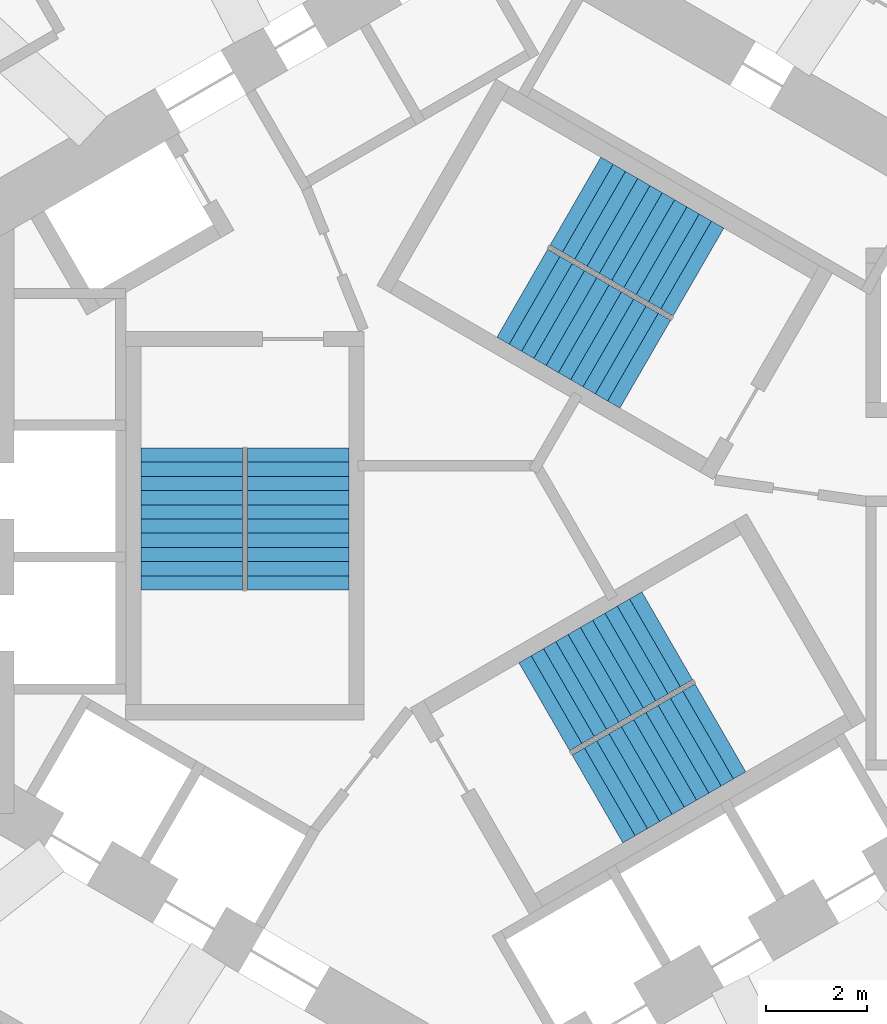
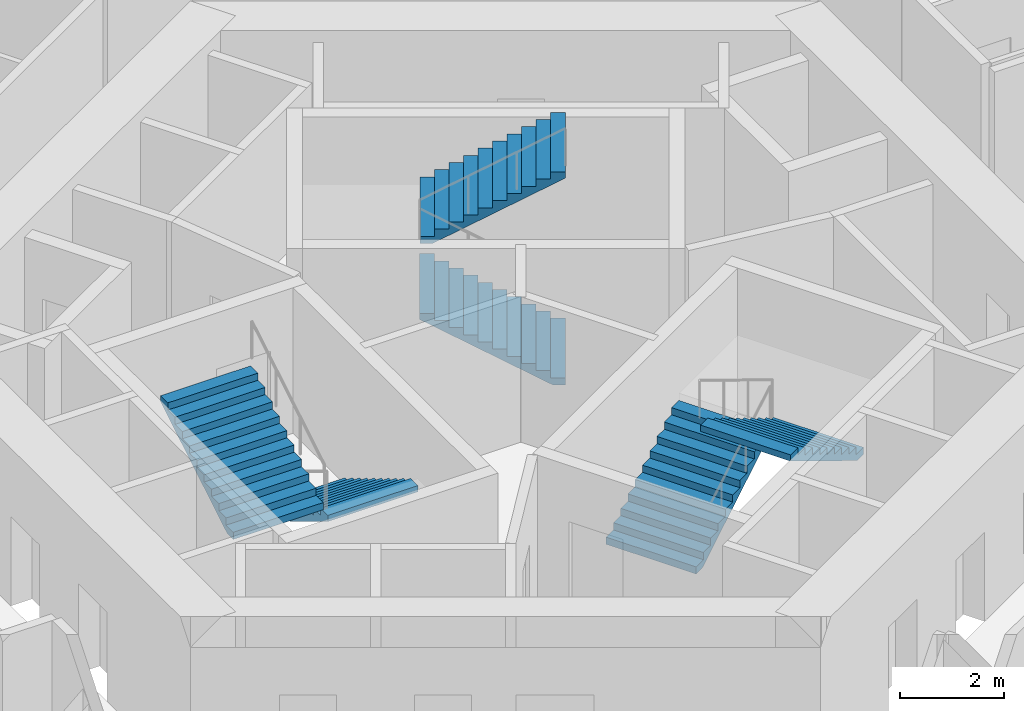
# One storey, part 9 of 11: 6 stair flights, 3 elements without a shape of their own.
"""IFC4 building model written with IfcOpenShell, lengths in metres."""

from ifc_helpers import new_model, si_unit, direction, frame, origin, place, context, subcontext, project, spatial, triangles, source, transform, mapped, material, type_object, element, aggregate, save


model = new_model("IFC4")

# Units and contexts
model_context = context("Model", 3, precision=1e-05, world=origin(), true_north=direction((0.0, 1.0)))
body_context = subcontext(model_context, "Body", "Model", "MODEL_VIEW")
ifc_project = project(units=[si_unit("LENGTHUNIT", "METRE"), si_unit("AREAUNIT", "SQUARE_METRE"), si_unit("VOLUMEUNIT", "CUBIC_METRE"), si_unit("PLANEANGLEUNIT", "RADIAN"), si_unit("MASSUNIT", "GRAM", prefix="KILO")], contexts=[model_context])

# Site, building, storey
site_placement = place(None, origin())
site = spatial("IfcSite", under=ifc_project, at=site_placement, CompositionType="ELEMENT")
building_placement = place(site_placement, origin())
building = spatial("IfcBuilding", under=site, at=building_placement, Name="Vanh Sen Convention Tower", CompositionType="ELEMENT")
storey_placement = place(building_placement, frame((0.0, 0.0, 179.89990234375)))
storey = spatial("IfcBuildingStorey", under=building, at=storey_placement, Name="L44", CompositionType="ELEMENT", Elevation=179.89990234375)

# Stair, stair flights
ifc_material_1 = material(Name="Concrete C50/60", Category="concrete")
stair_type_1 = type_object("IfcStairType", Name="Exit stair ST1 22 risers at 168.2", PredefinedType="HALF_TURN_STAIR", material=ifc_material_1)
stair_1_placement = place(storey_placement, origin())
stair_1 = element("IfcStair", 1, at=stair_1_placement, inside=storey, type_object=stair_type_1, Name="Exit stair ST1 L44", PredefinedType="HALF_TURN_STAIR")
ifc_material_2 = material(Name="Concrete C40/50", Category="concrete")
stair_flight_type = type_object("IfcStairFlightType", Name="Stair flight 2000", PredefinedType="STRAIGHT", material=ifc_material_2)
shared_shape = source(origin(), body_context, "Body", "Tessellation", [
    triangles([(0.24267578125, 1.0, 0.0), (0.0, 1.0, 0.0), (0.0, 1.0, 0.168212890625), (0.280029296875, 1.0, 0.168212890625), (0.280029296875, 1.0, 0.33642578125), (0.56005859375, 1.0, 0.33642578125), (0.56005859375, 1.0, 0.504638671875), (0.840087890625, 1.0, 0.504638671875), (0.840087890625, 1.0, 0.672607421875), (1.1201171875, 1.0, 0.672607421875), (1.1201171875, 1.0, 0.8408203125), (1.39990234375, 1.0, 0.8408203125), (1.39990234375, 1.0, 1.009033203125), (1.679931640625, 1.0, 1.009033203125), (1.679931640625, 1.0, 1.17724609375), (1.9599609375, 1.0, 1.17724609375), (1.9599609375, 1.0, 1.345458984375), (2.239990234375, 1.0, 1.345458984375), (2.239990234375, 1.0, 1.513671875), (2.52001953125, 1.0, 1.513671875), (2.52001953125, 1.0, 1.681884765625), (2.800048828125, 1.0, 1.681884765625), (2.800048828125, 1.0, 1.535888671875), (0.24267578125, -1.0, 0.0), (0.0, -1.0, 0.0), (0.0, -1.0, 0.168212890625), (0.280029296875, -1.0, 0.168212890625), (0.280029296875, -1.0, 0.33642578125), (0.56005859375, -1.0, 0.33642578125), (0.56005859375, -1.0, 0.504638671875), (0.840087890625, -1.0, 0.504638671875), (0.840087890625, -1.0, 0.672607421875), (1.1201171875, -1.0, 0.672607421875), (1.1201171875, -1.0, 0.8408203125), (1.39990234375, -1.0, 0.8408203125), (1.39990234375, -1.0, 1.009033203125), (1.679931640625, -1.0, 1.009033203125), (1.679931640625, -1.0, 1.17724609375), (1.9599609375, -1.0, 1.17724609375), (1.9599609375, -1.0, 1.345458984375), (2.239990234375, -1.0, 1.345458984375), (2.239990234375, -1.0, 1.513671875), (2.52001953125, -1.0, 1.513671875), (2.52001953125, -1.0, 1.681884765625), (2.800048828125, -1.0, 1.681884765625), (2.800048828125, -1.0, 1.535888671875), (0.0, 0.0400390625, 0.0), (0.0, 0.0390625, 0.0), (0.0, 0.0380859375, 0.0), (0.0, 0.037109375, 0.0), (0.0, 0.035888671875, 0.0), (0.0, 0.034912109375, 0.0), (0.0, 0.033935546875, 0.0), (0.0, 0.032958984375, 0.0), (0.0, 0.031982421875, 0.0), (0.0, 0.031005859375, 0.0), (0.0, 0.030029296875, 0.0), (0.0, 0.029052734375, 0.0), (0.0, 0.028076171875, 0.0), (0.0, 0.027099609375, 0.0), (0.0, 0.02587890625, 0.0), (0.0, 0.02490234375, 0.0), (0.0, 0.02392578125, 0.0), (0.0, 0.02294921875, 0.0), (0.0, 0.02197265625, 0.0), (0.0, 0.02099609375, 0.0), (0.0, 0.02001953125, 0.0), (0.0, 0.01904296875, 0.0), (0.0, 0.01806640625, 0.0), (0.0, 0.01708984375, 0.0), (0.0, 0.01611328125, 0.0), (0.0, 0.014892578125, 0.0), (0.0, 0.013916015625, 0.0), (0.0, 0.012939453125, 0.0), (0.0, 0.011962890625, 0.0), (0.0, 0.010986328125, 0.0), (0.0, 0.010009765625, 0.0), (0.0, 0.009033203125, 0.0), (0.0, 0.008056640625, 0.0), (0.0, 0.007080078125, 0.0), (0.0, 0.006103515625, 0.0), (0.0, 0.0048828125, 0.0), (0.0, 0.00390625, 0.0), (0.0, 0.0029296875, 0.0), (0.0, 0.001953125, 0.0), (0.0, 0.0009765625, 0.0), (0.0, 0.0, 0.0), (0.0, -0.0009765625, 0.0), (0.0, -0.001953125, 0.0), (0.0, -0.0029296875, 0.0), (0.0, -0.00390625, 0.0), (0.0, -0.0048828125, 0.0), (0.0, -0.006103515625, 0.0), (0.0, -0.007080078125, 0.0), (0.0, -0.008056640625, 0.0), (0.0, -0.009033203125, 0.0), (0.0, -0.010009765625, 0.0), (0.0, -0.010986328125, 0.0), (0.0, -0.011962890625, 0.0), (0.0, -0.012939453125, 0.0), (0.0, -0.013916015625, 0.0), (0.0, -0.014892578125, 0.0), (0.0, -0.01611328125, 0.0), (0.0, -0.01708984375, 0.0), (0.0, -0.01806640625, 0.0), (0.0, -0.01904296875, 0.0), (0.0, -0.02001953125, 0.0), (0.0, -0.02099609375, 0.0), (0.0, -0.02197265625, 0.0), (0.0, -0.02294921875, 0.0), (0.0, -0.02392578125, 0.0), (0.0, -0.02490234375, 0.0), (0.0, -0.02587890625, 0.0), (0.0, -0.027099609375, 0.0), (0.0, -0.028076171875, 0.0), (0.0, -0.029052734375, 0.0), (0.0, -0.030029296875, 0.0), (0.0, -0.031005859375, 0.0), (0.0, -0.031982421875, 0.0), (0.0, -0.032958984375, 0.0), (0.0, -0.033935546875, 0.0), (0.0, -0.034912109375, 0.0), (0.0, -0.035888671875, 0.0), (0.0, -0.037109375, 0.0), (0.0, -0.0380859375, 0.0), (0.0, -0.0390625, 0.0), (0.0, -0.0400390625, 0.0), (0.0, 0.0400390625, 0.168212890625), (0.0, 0.0390625, 0.168212890625), (0.0, 0.0380859375, 0.168212890625), (0.0, 0.037109375, 0.168212890625), (0.0, 0.035888671875, 0.168212890625), (0.0, 0.034912109375, 0.168212890625), (0.0, 0.033935546875, 0.168212890625), (0.0, 0.032958984375, 0.168212890625), (0.0, 0.031982421875, 0.168212890625), (0.0, 0.031005859375, 0.168212890625), (0.0, 0.030029296875, 0.168212890625), (0.0, 0.029052734375, 0.168212890625), (0.0, 0.028076171875, 0.168212890625), (0.0, 0.027099609375, 0.168212890625), (0.0, 0.02587890625, 0.168212890625), (0.0, 0.02490234375, 0.168212890625), (0.0, 0.02392578125, 0.168212890625), (0.0, 0.02294921875, 0.168212890625), (0.0, 0.02197265625, 0.168212890625), (0.0, 0.02099609375, 0.168212890625), (0.0, 0.02001953125, 0.168212890625), (0.0, 0.01904296875, 0.168212890625), (0.0, 0.01806640625, 0.168212890625), (0.0, 0.01708984375, 0.168212890625), (0.0, 0.01611328125, 0.168212890625), (0.0, 0.014892578125, 0.168212890625), (0.0, 0.013916015625, 0.168212890625), (0.0, 0.012939453125, 0.168212890625), (0.0, 0.011962890625, 0.168212890625), (0.0, 0.010986328125, 0.168212890625), (0.0, 0.010009765625, 0.168212890625), (0.0, 0.009033203125, 0.168212890625), (0.0, 0.008056640625, 0.168212890625), (0.0, 0.007080078125, 0.168212890625), (0.0, 0.006103515625, 0.168212890625), (0.0, 0.0048828125, 0.168212890625), (0.0, 0.00390625, 0.168212890625), (0.0, 0.0029296875, 0.168212890625), (0.0, 0.001953125, 0.168212890625), (0.0, 0.0009765625, 0.168212890625), (0.0, 0.0, 0.168212890625), (0.0, -0.0009765625, 0.168212890625), (0.0, -0.001953125, 0.168212890625), (0.0, -0.0029296875, 0.168212890625), (0.0, -0.00390625, 0.168212890625), (0.0, -0.0048828125, 0.168212890625), (0.0, -0.006103515625, 0.168212890625), (0.0, -0.007080078125, 0.168212890625), (0.0, -0.008056640625, 0.168212890625), (0.0, -0.009033203125, 0.168212890625), (0.0, -0.010009765625, 0.168212890625), (0.0, -0.010986328125, 0.168212890625), (0.0, -0.011962890625, 0.168212890625), (0.0, -0.012939453125, 0.168212890625), (0.0, -0.013916015625, 0.168212890625), (0.0, -0.014892578125, 0.168212890625), (0.0, -0.01611328125, 0.168212890625), (0.0, -0.01708984375, 0.168212890625), (0.0, -0.01806640625, 0.168212890625), (0.0, -0.01904296875, 0.168212890625), (0.0, -0.02001953125, 0.168212890625), (0.0, -0.02099609375, 0.168212890625), (0.0, -0.02197265625, 0.168212890625), (0.0, -0.02294921875, 0.168212890625), (0.0, -0.02392578125, 0.168212890625), (0.0, -0.02490234375, 0.168212890625), (0.0, -0.02587890625, 0.168212890625), (0.0, -0.027099609375, 0.168212890625), (0.0, -0.028076171875, 0.168212890625), (0.0, -0.029052734375, 0.168212890625), (0.0, -0.030029296875, 0.168212890625), (0.0, -0.031005859375, 0.168212890625), (0.0, -0.031982421875, 0.168212890625), (0.0, -0.032958984375, 0.168212890625), (0.0, -0.033935546875, 0.168212890625), (0.0, -0.034912109375, 0.168212890625), (0.0, -0.035888671875, 0.168212890625), (0.0, -0.037109375, 0.168212890625), (0.0, -0.0380859375, 0.168212890625), (0.0, -0.0390625, 0.168212890625), (0.0, -0.0400390625, 0.168212890625), (0.280029296875, 0.0, 0.168212890625), (0.280029296875, 0.0, 0.33642578125), (0.56005859375, 0.0, 0.33642578125), (0.56005859375, 0.0, 0.504638671875), (0.840087890625, 0.0, 0.504638671875), (0.840087890625, 0.0, 0.672607421875), (1.1201171875, 0.0, 0.672607421875), (1.1201171875, 0.0, 0.8408203125), (1.39990234375, 0.0, 0.8408203125), (1.39990234375, 0.0, 1.009033203125), (1.679931640625, 0.0, 1.009033203125), (1.679931640625, 0.0, 1.17724609375), (1.9599609375, 0.0, 1.17724609375), (1.9599609375, 0.0, 1.345458984375), (2.239990234375, 0.0, 1.345458984375), (2.239990234375, 0.0, 1.513671875), (2.52001953125, 0.0, 1.513671875), (2.52001953125, 0.0, 1.681884765625), (2.800048828125, 0.0400390625, 1.681884765625), (2.800048828125, 0.0390625, 1.681884765625), (2.800048828125, 0.0380859375, 1.681884765625), (2.800048828125, 0.037109375, 1.681884765625), (2.800048828125, 0.035888671875, 1.681884765625), (2.800048828125, 0.034912109375, 1.681884765625), (2.800048828125, 0.033935546875, 1.681884765625), (2.800048828125, 0.032958984375, 1.681884765625), (2.800048828125, 0.031982421875, 1.681884765625), (2.800048828125, 0.031005859375, 1.681884765625), (2.800048828125, 0.030029296875, 1.681884765625), (2.800048828125, 0.029052734375, 1.681884765625), (2.800048828125, 0.028076171875, 1.681884765625), (2.800048828125, 0.027099609375, 1.681884765625), (2.800048828125, 0.02587890625, 1.681884765625), (2.800048828125, 0.02490234375, 1.681884765625), (2.800048828125, 0.02392578125, 1.681884765625), (2.800048828125, 0.02294921875, 1.681884765625), (2.800048828125, 0.02197265625, 1.681884765625), (2.800048828125, 0.02099609375, 1.681884765625), (2.800048828125, 0.02001953125, 1.681884765625), (2.800048828125, 0.01904296875, 1.681884765625), (2.800048828125, 0.01806640625, 1.681884765625), (2.800048828125, 0.01708984375, 1.681884765625), (2.800048828125, 0.01611328125, 1.681884765625), (2.800048828125, 0.014892578125, 1.681884765625), (2.800048828125, 0.013916015625, 1.681884765625), (2.800048828125, 0.012939453125, 1.681884765625), (2.800048828125, 0.011962890625, 1.681884765625), (2.800048828125, 0.010986328125, 1.681884765625), (2.800048828125, 0.010009765625, 1.681884765625), (2.800048828125, 0.009033203125, 1.681884765625), (2.800048828125, 0.008056640625, 1.681884765625), (2.800048828125, 0.007080078125, 1.681884765625), (2.800048828125, 0.006103515625, 1.681884765625), (2.800048828125, 0.0048828125, 1.681884765625), (2.800048828125, 0.00390625, 1.681884765625), (2.800048828125, 0.0029296875, 1.681884765625), (2.800048828125, 0.001953125, 1.681884765625), (2.800048828125, 0.0009765625, 1.681884765625), (2.800048828125, 0.0, 1.681884765625), (2.800048828125, -0.0009765625, 1.681884765625), (2.800048828125, -0.001953125, 1.681884765625), (2.800048828125, -0.0029296875, 1.681884765625), (2.800048828125, -0.00390625, 1.681884765625), (2.800048828125, -0.0048828125, 1.681884765625), (2.800048828125, -0.006103515625, 1.681884765625), (2.800048828125, -0.007080078125, 1.681884765625), (2.800048828125, -0.008056640625, 1.681884765625), (2.800048828125, -0.009033203125, 1.681884765625), (2.800048828125, -0.010009765625, 1.681884765625), (2.800048828125, -0.010986328125, 1.681884765625), (2.800048828125, -0.011962890625, 1.681884765625), (2.800048828125, -0.012939453125, 1.681884765625), (2.800048828125, -0.013916015625, 1.681884765625), (2.800048828125, -0.014892578125, 1.681884765625), (2.800048828125, -0.01611328125, 1.681884765625), (2.800048828125, -0.01708984375, 1.681884765625), (2.800048828125, -0.01806640625, 1.681884765625), (2.800048828125, -0.01904296875, 1.681884765625), (2.800048828125, -0.02001953125, 1.681884765625), (2.800048828125, -0.02099609375, 1.681884765625), (2.800048828125, -0.02197265625, 1.681884765625), (2.800048828125, -0.02294921875, 1.681884765625), (2.800048828125, -0.02392578125, 1.681884765625), (2.800048828125, -0.02490234375, 1.681884765625), (2.800048828125, -0.02587890625, 1.681884765625), (2.800048828125, -0.027099609375, 1.681884765625), (2.800048828125, -0.028076171875, 1.681884765625), (2.800048828125, -0.029052734375, 1.681884765625), (2.800048828125, -0.030029296875, 1.681884765625), (2.800048828125, -0.031005859375, 1.681884765625), (2.800048828125, -0.031982421875, 1.681884765625), (2.800048828125, -0.032958984375, 1.681884765625), (2.800048828125, -0.033935546875, 1.681884765625), (2.800048828125, -0.034912109375, 1.681884765625), (2.800048828125, -0.035888671875, 1.681884765625), (2.800048828125, -0.037109375, 1.681884765625), (2.800048828125, -0.0380859375, 1.681884765625), (2.800048828125, -0.0390625, 1.681884765625), (2.800048828125, -0.0400390625, 1.681884765625), (2.800048828125, 0.0400390625, 1.535888671875), (2.800048828125, 0.0390625, 1.535888671875), (2.800048828125, 0.0380859375, 1.535888671875), (2.800048828125, 0.037109375, 1.535888671875), (2.800048828125, 0.035888671875, 1.535888671875), (2.800048828125, 0.034912109375, 1.535888671875), (2.800048828125, 0.033935546875, 1.535888671875), (2.800048828125, 0.032958984375, 1.535888671875), (2.800048828125, 0.031982421875, 1.535888671875), (2.800048828125, 0.031005859375, 1.535888671875), (2.800048828125, 0.030029296875, 1.535888671875), (2.800048828125, 0.029052734375, 1.535888671875), (2.800048828125, 0.028076171875, 1.535888671875), (2.800048828125, 0.027099609375, 1.535888671875), (2.800048828125, 0.02587890625, 1.535888671875), (2.800048828125, 0.02490234375, 1.535888671875), (2.800048828125, 0.02392578125, 1.535888671875), (2.800048828125, 0.02294921875, 1.535888671875), (2.800048828125, 0.02197265625, 1.535888671875), (2.800048828125, 0.02099609375, 1.535888671875), (2.800048828125, 0.02001953125, 1.535888671875), (2.800048828125, 0.01904296875, 1.535888671875), (2.800048828125, 0.01806640625, 1.535888671875), (2.800048828125, 0.01708984375, 1.535888671875), (2.800048828125, 0.01611328125, 1.535888671875), (2.800048828125, 0.014892578125, 1.535888671875), (2.800048828125, 0.013916015625, 1.535888671875), (2.800048828125, 0.012939453125, 1.535888671875), (2.800048828125, 0.011962890625, 1.535888671875), (2.800048828125, 0.010986328125, 1.535888671875), (2.800048828125, 0.010009765625, 1.535888671875), (2.800048828125, 0.009033203125, 1.535888671875), (2.800048828125, 0.008056640625, 1.535888671875), (2.800048828125, 0.007080078125, 1.535888671875), (2.800048828125, 0.006103515625, 1.535888671875), (2.800048828125, 0.0048828125, 1.535888671875), (2.800048828125, 0.00390625, 1.535888671875), (2.800048828125, 0.0029296875, 1.535888671875), (2.800048828125, 0.001953125, 1.535888671875), (2.800048828125, 0.0009765625, 1.535888671875), (2.800048828125, 0.0, 1.535888671875), (2.800048828125, -0.0009765625, 1.535888671875), (2.800048828125, -0.001953125, 1.535888671875), (2.800048828125, -0.0029296875, 1.535888671875), (2.800048828125, -0.00390625, 1.535888671875), (2.800048828125, -0.0048828125, 1.535888671875), (2.800048828125, -0.006103515625, 1.535888671875), (2.800048828125, -0.007080078125, 1.535888671875), (2.800048828125, -0.008056640625, 1.535888671875), (2.800048828125, -0.009033203125, 1.535888671875), (2.800048828125, -0.010009765625, 1.535888671875), (2.800048828125, -0.010986328125, 1.535888671875), (2.800048828125, -0.011962890625, 1.535888671875), (2.800048828125, -0.012939453125, 1.535888671875), (2.800048828125, -0.013916015625, 1.535888671875), (2.800048828125, -0.014892578125, 1.535888671875), (2.800048828125, -0.01611328125, 1.535888671875), (2.800048828125, -0.01708984375, 1.535888671875), (2.800048828125, -0.01806640625, 1.535888671875), (2.800048828125, -0.01904296875, 1.535888671875), (2.800048828125, -0.02001953125, 1.535888671875), (2.800048828125, -0.02099609375, 1.535888671875), (2.800048828125, -0.02197265625, 1.535888671875), (2.800048828125, -0.02294921875, 1.535888671875), (2.800048828125, -0.02392578125, 1.535888671875), (2.800048828125, -0.02490234375, 1.535888671875), (2.800048828125, -0.02587890625, 1.535888671875), (2.800048828125, -0.027099609375, 1.535888671875), (2.800048828125, -0.028076171875, 1.535888671875), (2.800048828125, -0.029052734375, 1.535888671875), (2.800048828125, -0.030029296875, 1.535888671875), (2.800048828125, -0.031005859375, 1.535888671875), (2.800048828125, -0.031982421875, 1.535888671875), (2.800048828125, -0.032958984375, 1.535888671875), (2.800048828125, -0.033935546875, 1.535888671875), (2.800048828125, -0.034912109375, 1.535888671875), (2.800048828125, -0.035888671875, 1.535888671875), (2.800048828125, -0.037109375, 1.535888671875), (2.800048828125, -0.0380859375, 1.535888671875), (2.800048828125, -0.0390625, 1.535888671875), (2.800048828125, -0.0400390625, 1.535888671875), (0.24267578125, 0.0, 0.0)], [[1, 2, 3], [1, 3, 4], [4, 5, 6], [1, 4, 6], [6, 7, 8], [1, 6, 8], [8, 9, 10], [1, 8, 10], [10, 11, 12], [1, 10, 12], [12, 13, 14], [1, 12, 14], [14, 15, 16], [1, 14, 16], [16, 17, 18], [1, 16, 18], [18, 19, 20], [1, 18, 20], [20, 21, 22], [1, 20, 22], [22, 23, 1], [24, 26, 25], [24, 27, 26], [27, 29, 28], [24, 29, 27], [29, 31, 30], [24, 31, 29], [31, 33, 32], [24, 33, 31], [33, 35, 34], [24, 35, 33], [35, 37, 36], [24, 37, 35], [37, 39, 38], [24, 39, 37], [39, 41, 40], [24, 41, 39], [41, 43, 42], [24, 43, 41], [43, 45, 44], [24, 45, 43], [45, 24, 46], [2, 128, 3], [2, 47, 128], [47, 129, 128], [47, 48, 129], [48, 130, 129], [48, 49, 130], [49, 131, 130], [49, 50, 131], [50, 132, 131], [50, 51, 132], [51, 133, 132], [51, 52, 133], [52, 134, 133], [52, 53, 134], [53, 135, 134], [53, 54, 135], [54, 136, 135], [54, 55, 136], [55, 137, 136], [55, 56, 137], [56, 138, 137], [56, 57, 138], [57, 139, 138], [57, 58, 139], [58, 140, 139], [58, 59, 140], [59, 141, 140], [59, 60, 141], [60, 142, 141], [60, 61, 142], [61, 143, 142], [61, 62, 143], [62, 144, 143], [62, 63, 144], [63, 145, 144], [63, 64, 145], [64, 146, 145], [64, 65, 146], [65, 147, 146], [65, 66, 147], [66, 148, 147], [66, 67, 148], [67, 149, 148], [67, 68, 149], [68, 150, 149], [68, 69, 150], [69, 151, 150], [69, 70, 151], [70, 152, 151], [70, 71, 152], [71, 153, 152], [71, 72, 153], [72, 154, 153], [72, 73, 154], [73, 155, 154], [73, 74, 155], [74, 156, 155], [74, 75, 156], [75, 157, 156], [75, 76, 157], [76, 158, 157], [76, 77, 158], [77, 159, 158], [77, 78, 159], [78, 160, 159], [78, 79, 160], [79, 161, 160], [79, 80, 161], [80, 162, 161], [80, 81, 162], [81, 163, 162], [81, 82, 163], [82, 164, 163], [82, 83, 164], [83, 165, 164], [83, 84, 165], [84, 166, 165], [84, 85, 166], [85, 167, 166], [85, 86, 167], [86, 168, 167], [86, 87, 168], [87, 88, 168], [168, 88, 169], [88, 89, 169], [169, 89, 170], [89, 90, 170], [170, 90, 171], [90, 91, 171], [171, 91, 172], [91, 92, 172], [172, 92, 173], [92, 93, 173], [173, 93, 174], [93, 94, 174], [174, 94, 175], [94, 95, 175], [175, 95, 176], [95, 96, 176], [176, 96, 177], [96, 97, 177], [177, 97, 178], [97, 98, 178], [178, 98, 179], [98, 99, 179], [179, 99, 180], [99, 100, 180], [180, 100, 181], [100, 101, 181], [181, 101, 182], [101, 102, 182], [182, 102, 183], [102, 103, 183], [183, 103, 184], [103, 104, 184], [184, 104, 185], [104, 105, 185], [185, 105, 186], [105, 106, 186], [186, 106, 187], [106, 107, 187], [187, 107, 188], [107, 108, 188], [188, 108, 189], [108, 109, 189], [189, 109, 190], [109, 110, 190], [190, 110, 191], [110, 111, 191], [191, 111, 192], [111, 112, 192], [192, 112, 193], [112, 113, 193], [193, 113, 194], [113, 114, 194], [194, 114, 195], [114, 115, 195], [195, 115, 196], [115, 116, 196], [196, 116, 197], [116, 117, 197], [197, 117, 198], [117, 118, 198], [198, 118, 199], [118, 119, 199], [199, 119, 200], [119, 120, 200], [200, 120, 201], [120, 121, 201], [201, 121, 202], [121, 122, 202], [202, 122, 203], [122, 123, 203], [203, 123, 204], [123, 124, 204], [204, 124, 205], [124, 125, 205], [205, 125, 206], [125, 126, 206], [206, 126, 207], [126, 127, 207], [207, 127, 208], [127, 25, 208], [208, 25, 26], [4, 3, 128], [4, 128, 129], [4, 129, 130], [4, 130, 131], [4, 131, 132], [4, 132, 133], [4, 133, 134], [4, 134, 135], [4, 135, 136], [4, 136, 137], [4, 137, 138], [4, 138, 139], [4, 139, 140], [4, 140, 141], [4, 141, 142], [4, 142, 143], [4, 143, 144], [4, 144, 145], [4, 145, 146], [4, 146, 147], [4, 147, 148], [4, 148, 149], [4, 149, 150], [4, 150, 151], [4, 151, 152], [4, 152, 153], [4, 153, 154], [4, 154, 155], [4, 155, 156], [4, 156, 157], [4, 157, 158], [4, 158, 159], [4, 159, 160], [4, 160, 161], [4, 161, 162], [4, 162, 163], [4, 163, 164], [4, 164, 165], [4, 165, 166], [4, 166, 167], [4, 167, 168], [27, 168, 169], [27, 169, 170], [27, 170, 171], [27, 171, 172], [27, 172, 173], [27, 173, 174], [27, 174, 175], [27, 175, 176], [27, 176, 177], [27, 177, 178], [27, 178, 179], [27, 179, 180], [27, 180, 181], [27, 181, 182], [27, 182, 183], [27, 183, 184], [27, 184, 185], [27, 185, 186], [27, 186, 187], [27, 187, 188], [27, 188, 189], [27, 189, 190], [27, 190, 191], [27, 191, 192], [27, 192, 193], [27, 193, 194], [27, 194, 195], [27, 195, 196], [27, 196, 197], [27, 197, 198], [27, 198, 199], [27, 199, 200], [27, 200, 201], [27, 201, 202], [27, 202, 203], [27, 203, 204], [27, 204, 205], [27, 205, 206], [27, 206, 207], [27, 207, 208], [27, 208, 26], [4, 168, 209], [27, 209, 168], [4, 210, 5], [4, 209, 210], [209, 27, 210], [210, 27, 28], [5, 211, 6], [5, 210, 211], [210, 28, 211], [211, 28, 29], [6, 212, 7], [6, 211, 212], [211, 29, 212], [212, 29, 30], [7, 213, 8], [7, 212, 213], [212, 30, 213], [213, 30, 31], [8, 214, 9], [8, 213, 214], [213, 31, 214], [214, 31, 32], [9, 215, 10], [9, 214, 215], [214, 32, 215], [215, 32, 33], [10, 216, 11], [10, 215, 216], [215, 33, 216], [216, 33, 34], [11, 217, 12], [11, 216, 217], [216, 34, 217], [217, 34, 35], [12, 218, 13], [12, 217, 218], [217, 35, 218], [218, 35, 36], [13, 219, 14], [13, 218, 219], [218, 36, 219], [219, 36, 37], [14, 220, 15], [14, 219, 220], [219, 37, 220], [220, 37, 38], [15, 221, 16], [15, 220, 221], [220, 38, 221], [221, 38, 39], [16, 222, 17], [16, 221, 222], [221, 39, 222], [222, 39, 40], [17, 223, 18], [17, 222, 223], [222, 40, 223], [223, 40, 41], [18, 224, 19], [18, 223, 224], [223, 41, 224], [224, 41, 42], [19, 225, 20], [19, 224, 225], [224, 42, 225], [225, 42, 43], [20, 226, 21], [20, 225, 226], [225, 43, 226], [226, 43, 44], [21, 227, 22], [21, 228, 227], [21, 229, 228], [21, 230, 229], [21, 231, 230], [21, 232, 231], [21, 233, 232], [21, 234, 233], [21, 235, 234], [21, 236, 235], [21, 237, 236], [21, 238, 237], [21, 239, 238], [21, 240, 239], [21, 241, 240], [21, 242, 241], [21, 243, 242], [21, 244, 243], [21, 245, 244], [21, 246, 245], [21, 247, 246], [21, 248, 247], [21, 249, 248], [21, 250, 249], [21, 251, 250], [21, 252, 251], [21, 253, 252], [21, 254, 253], [21, 255, 254], [21, 256, 255], [21, 257, 256], [21, 258, 257], [21, 259, 258], [21, 260, 259], [21, 261, 260], [21, 262, 261], [21, 263, 262], [21, 264, 263], [21, 265, 264], [21, 266, 265], [21, 267, 266], [44, 268, 267], [44, 269, 268], [44, 270, 269], [44, 271, 270], [44, 272, 271], [44, 273, 272], [44, 274, 273], [44, 275, 274], [44, 276, 275], [44, 277, 276], [44, 278, 277], [44, 279, 278], [44, 280, 279], [44, 281, 280], [44, 282, 281], [44, 283, 282], [44, 284, 283], [44, 285, 284], [44, 286, 285], [44, 287, 286], [44, 288, 287], [44, 289, 288], [44, 290, 289], [44, 291, 290], [44, 292, 291], [44, 293, 292], [44, 294, 293], [44, 295, 294], [44, 296, 295], [44, 297, 296], [44, 298, 297], [44, 299, 298], [44, 300, 299], [44, 301, 300], [44, 302, 301], [44, 303, 302], [44, 304, 303], [44, 305, 304], [44, 306, 305], [44, 307, 306], [44, 45, 307], [21, 226, 267], [44, 267, 226], [22, 308, 23], [22, 227, 308], [227, 309, 308], [227, 228, 309], [228, 310, 309], [228, 229, 310], [229, 311, 310], [229, 230, 311], [230, 312, 311], [230, 231, 312], [231, 313, 312], [231, 232, 313], [232, 314, 313], [232, 233, 314], [233, 315, 314], [233, 234, 315], [234, 316, 315], [234, 235, 316], [235, 317, 316], [235, 236, 317], [236, 318, 317], [236, 237, 318], [237, 319, 318], [237, 238, 319], [238, 320, 319], [238, 239, 320], [239, 321, 320], [239, 240, 321], [240, 322, 321], [240, 241, 322], [241, 323, 322], [241, 242, 323], [242, 324, 323], [242, 243, 324], [243, 325, 324], [243, 244, 325], [244, 326, 325], [244, 245, 326], [245, 327, 326], [245, 246, 327], [246, 328, 327], [246, 247, 328], [247, 329, 328], [247, 248, 329], [248, 330, 329], [248, 249, 330], [249, 331, 330], [249, 250, 331], [250, 332, 331], [250, 251, 332], [251, 333, 332], [251, 252, 333], [252, 334, 333], [252, 253, 334], [253, 335, 334], [253, 254, 335], [254, 336, 335], [254, 255, 336], [255, 337, 336], [255, 256, 337], [256, 338, 337], [256, 257, 338], [257, 339, 338], [257, 258, 339], [258, 340, 339], [258, 259, 340], [259, 341, 340], [259, 260, 341], [260, 342, 341], [260, 261, 342], [261, 343, 342], [261, 262, 343], [262, 344, 343], [262, 263, 344], [263, 345, 344], [263, 264, 345], [264, 346, 345], [264, 265, 346], [265, 347, 346], [265, 266, 347], [266, 348, 347], [266, 267, 348], [267, 268, 348], [348, 268, 349], [268, 269, 349], [349, 269, 350], [269, 270, 350], [350, 270, 351], [270, 271, 351], [351, 271, 352], [271, 272, 352], [352, 272, 353], [272, 273, 353], [353, 273, 354], [273, 274, 354], [354, 274, 355], [274, 275, 355], [355, 275, 356], [275, 276, 356], [356, 276, 357], [276, 277, 357], [357, 277, 358], [277, 278, 358], [358, 278, 359], [278, 279, 359], [359, 279, 360], [279, 280, 360], [360, 280, 361], [280, 281, 361], [361, 281, 362], [281, 282, 362], [362, 282, 363], [282, 283, 363], [363, 283, 364], [283, 284, 364], [364, 284, 365], [284, 285, 365], [365, 285, 366], [285, 286, 366], [366, 286, 367], [286, 287, 367], [367, 287, 368], [287, 288, 368], [368, 288, 369], [288, 289, 369], [369, 289, 370], [289, 290, 370], [370, 290, 371], [290, 291, 371], [371, 291, 372], [291, 292, 372], [372, 292, 373], [292, 293, 373], [373, 293, 374], [293, 294, 374], [374, 294, 375], [294, 295, 375], [375, 295, 376], [295, 296, 376], [376, 296, 377], [296, 297, 377], [377, 297, 378], [297, 298, 378], [378, 298, 379], [298, 299, 379], [379, 299, 380], [299, 300, 380], [380, 300, 381], [300, 301, 381], [381, 301, 382], [301, 302, 382], [382, 302, 383], [302, 303, 383], [383, 303, 384], [303, 304, 384], [384, 304, 385], [304, 305, 385], [385, 305, 386], [305, 306, 386], [386, 306, 387], [306, 307, 387], [387, 307, 388], [307, 45, 388], [388, 45, 46], [1, 23, 308], [1, 308, 309], [1, 309, 310], [1, 310, 311], [1, 311, 312], [1, 312, 313], [1, 313, 314], [1, 314, 315], [1, 315, 316], [1, 316, 317], [1, 317, 318], [1, 318, 319], [1, 319, 320], [1, 320, 321], [1, 321, 322], [1, 322, 323], [1, 323, 324], [1, 324, 325], [1, 325, 326], [1, 326, 327], [1, 327, 328], [1, 328, 329], [1, 329, 330], [1, 330, 331], [1, 331, 332], [1, 332, 333], [1, 333, 334], [1, 334, 335], [1, 335, 336], [1, 336, 337], [1, 337, 338], [1, 338, 339], [1, 339, 340], [1, 340, 341], [1, 341, 342], [1, 342, 343], [1, 343, 344], [1, 344, 345], [1, 345, 346], [1, 346, 347], [1, 347, 348], [24, 348, 349], [24, 349, 350], [24, 350, 351], [24, 351, 352], [24, 352, 353], [24, 353, 354], [24, 354, 355], [24, 355, 356], [24, 356, 357], [24, 357, 358], [24, 358, 359], [24, 359, 360], [24, 360, 361], [24, 361, 362], [24, 362, 363], [24, 363, 364], [24, 364, 365], [24, 365, 366], [24, 366, 367], [24, 367, 368], [24, 368, 369], [24, 369, 370], [24, 370, 371], [24, 371, 372], [24, 372, 373], [24, 373, 374], [24, 374, 375], [24, 375, 376], [24, 376, 377], [24, 377, 378], [24, 378, 379], [24, 379, 380], [24, 380, 381], [24, 381, 382], [24, 382, 383], [24, 383, 384], [24, 384, 385], [24, 385, 386], [24, 386, 387], [24, 387, 388], [24, 388, 46], [1, 348, 389], [24, 389, 348], [1, 47, 2], [1, 48, 47], [1, 49, 48], [1, 50, 49], [1, 51, 50], [1, 52, 51], [1, 53, 52], [1, 54, 53], [1, 55, 54], [1, 56, 55], [1, 57, 56], [1, 58, 57], [1, 59, 58], [1, 60, 59], [1, 61, 60], [1, 62, 61], [1, 63, 62], [1, 64, 63], [1, 65, 64], [1, 66, 65], [1, 67, 66], [1, 68, 67], [1, 69, 68], [1, 70, 69], [1, 71, 70], [1, 72, 71], [1, 73, 72], [1, 74, 73], [1, 75, 74], [1, 76, 75], [1, 77, 76], [1, 78, 77], [1, 79, 78], [1, 80, 79], [1, 81, 80], [1, 82, 81], [1, 83, 82], [1, 84, 83], [1, 85, 84], [1, 86, 85], [1, 87, 86], [24, 88, 87], [24, 89, 88], [24, 90, 89], [24, 91, 90], [24, 92, 91], [24, 93, 92], [24, 94, 93], [24, 95, 94], [24, 96, 95], [24, 97, 96], [24, 98, 97], [24, 99, 98], [24, 100, 99], [24, 101, 100], [24, 102, 101], [24, 103, 102], [24, 104, 103], [24, 105, 104], [24, 106, 105], [24, 107, 106], [24, 108, 107], [24, 109, 108], [24, 110, 109], [24, 111, 110], [24, 112, 111], [24, 113, 112], [24, 114, 113], [24, 115, 114], [24, 116, 115], [24, 117, 116], [24, 118, 117], [24, 119, 118], [24, 120, 119], [24, 121, 120], [24, 122, 121], [24, 123, 122], [24, 124, 123], [24, 125, 124], [24, 126, 125], [24, 127, 126], [24, 25, 127], [1, 389, 87], [24, 87, 389]], closed=True),
])
stair_flight_1_placement = place(storey_placement, frame((2.94580078125, 2.802490234375, 0.0), z_axis=(0.0, 0.0, 1.0), x_axis=(-0.866025403784, 0.5, 0.0)))
stair_flight_1 = element("IfcStairFlight", 2, at=stair_flight_1_placement, type_object=stair_flight_type, Name="ST1 flight 1", NumberOfRisers=11, NumberOfTreads=10, PredefinedType="STRAIGHT", RiserHeight=0.168181818, TreadLength=0.28, context=body_context, shape_type="MappedRepresentation", body=[
    mapped(shared_shape, transform((0.0, 0.0, 0.0))),
])
stair_flight_2_placement = place(storey_placement, frame((1.571044921875, 6.021240234375, 1.85009765625), z_axis=(0.0, 0.0, 1.0), x_axis=(0.866025403784, -0.5, 0.0)))
stair_flight_2 = element("IfcStairFlight", 3, at=stair_flight_2_placement, type_object=stair_flight_type, Name="ST1 flight 2", NumberOfRisers=11, NumberOfTreads=10, PredefinedType="STRAIGHT", RiserHeight=0.168181818, TreadLength=0.28, context=body_context, shape_type="MappedRepresentation", body=[
    mapped(shared_shape, transform((0.0, 0.0, 0.0))),
])
aggregate(stair_1, [stair_flight_1, stair_flight_2])

stair_type_2 = type_object("IfcStairType", Name="Exit stair ST2 22 risers at 168.2", PredefinedType="HALF_TURN_STAIR", material=ifc_material_1)
stair_2_placement = place(storey_placement, origin())
stair_2 = element("IfcStair", 4, at=stair_2_placement, inside=storey, type_object=stair_type_2, Name="Exit stair ST2 L44", PredefinedType="HALF_TURN_STAIR")
stair_flight_3_placement = place(storey_placement, frame((-3.89990234375, 1.14990234375, 0.0), z_axis=(0.0, 0.0, 1.0), x_axis=(0.0, -1.0, 0.0)))
stair_flight_3 = element("IfcStairFlight", 5, at=stair_flight_3_placement, type_object=stair_flight_type, Name="ST2 flight 1", NumberOfRisers=11, NumberOfTreads=10, PredefinedType="STRAIGHT", RiserHeight=0.168181818, TreadLength=0.28, context=body_context, shape_type="MappedRepresentation", body=[
    mapped(shared_shape, transform((0.0, 0.0, 0.0))),
])
stair_flight_4_placement = place(storey_placement, frame((-6.0, -1.64990234375, 1.85009765625), z_axis=(0.0, 0.0, 1.0), x_axis=(0.0, 1.0, 0.0)))
stair_flight_4 = element("IfcStairFlight", 6, at=stair_flight_4_placement, type_object=stair_flight_type, Name="ST2 flight 2", NumberOfRisers=11, NumberOfTreads=10, PredefinedType="STRAIGHT", RiserHeight=0.168181818, TreadLength=0.28, context=body_context, shape_type="MappedRepresentation", body=[
    mapped(shared_shape, transform((0.0, 0.0, 0.0))),
])
aggregate(stair_2, [stair_flight_3, stair_flight_4])

stair_type_3 = type_object("IfcStairType", Name="Exit stair ST3 22 risers at 168.2", PredefinedType="HALF_TURN_STAIR", material=ifc_material_1)
stair_3_placement = place(storey_placement, origin())
stair_3 = element("IfcStair", 7, at=stair_3_placement, inside=storey, type_object=stair_type_3, Name="Exit stair ST3 L44", PredefinedType="HALF_TURN_STAIR")
stair_flight_5_placement = place(storey_placement, frame((0.9541015625, -3.952392578125, 0.0), z_axis=(0.0, 0.0, 1.0), x_axis=(0.866025403784, 0.5, 0.0)))
stair_flight_5 = element("IfcStairFlight", 8, at=stair_flight_5_placement, type_object=stair_flight_type, Name="ST3 flight 1", NumberOfRisers=11, NumberOfTreads=10, PredefinedType="STRAIGHT", RiserHeight=0.168181818, TreadLength=0.28, context=body_context, shape_type="MappedRepresentation", body=[
    mapped(shared_shape, transform((0.0, 0.0, 0.0))),
])
stair_flight_6_placement = place(storey_placement, frame((4.428955078125, -4.37109375, 1.85009765625), z_axis=(0.0, 0.0, 1.0), x_axis=(-0.866025403784, -0.5, 0.0)))
stair_flight_6 = element("IfcStairFlight", 9, at=stair_flight_6_placement, type_object=stair_flight_type, Name="ST3 flight 2", NumberOfRisers=11, NumberOfTreads=10, PredefinedType="STRAIGHT", RiserHeight=0.168181818, TreadLength=0.28, context=body_context, shape_type="MappedRepresentation", body=[
    mapped(shared_shape, transform((0.0, 0.0, 0.0))),
])
aggregate(stair_3, [stair_flight_5, stair_flight_6])

save(model, "model.ifc")
